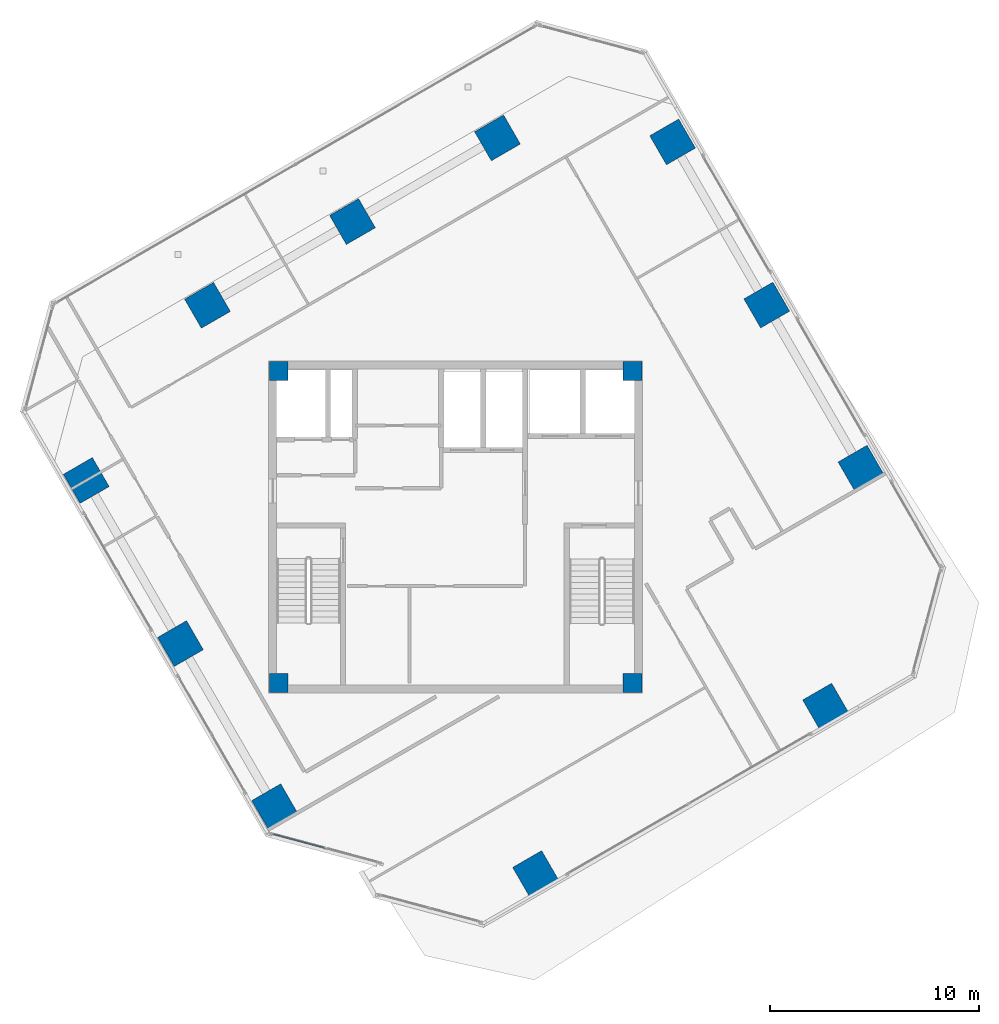
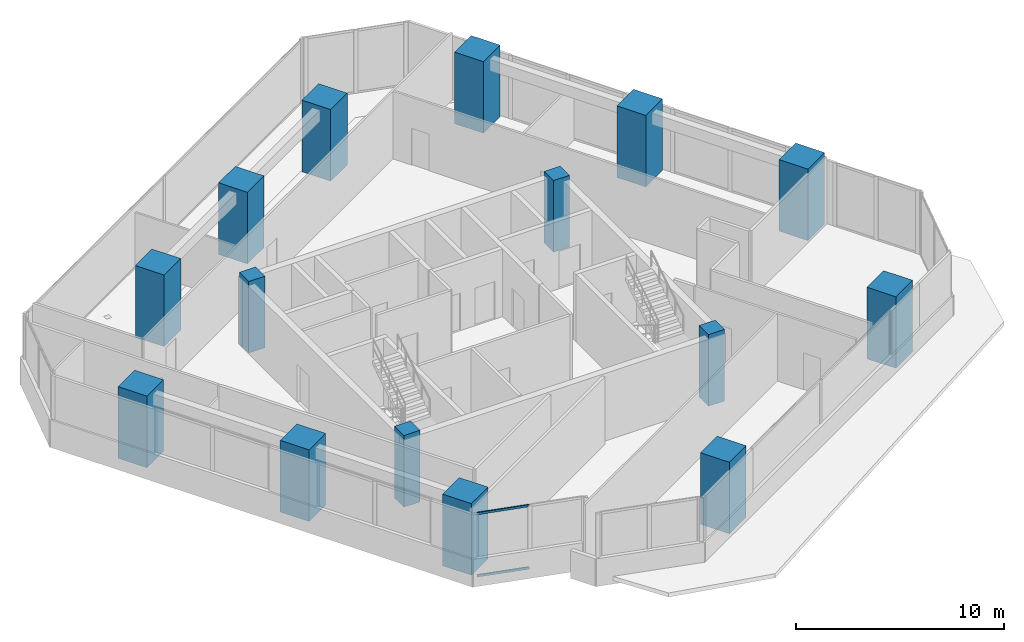
# One storey, part 1 of 16: 15 columns, 2 members, 1 element without a shape of its own.
"""IFC4 building model written with IfcOpenShell, lengths in metres."""

from ifc_helpers import new_model, si_unit, direction, frame, origin, origin_2d, place, context, subcontext, project, spatial, rectangle, hollow_rectangle, extrude, source, transform, mapped, material, material_profile, profile_set, type_object, element, aggregate, save


model = new_model("IFC4")

# Units and contexts
model_context = context("Model", 3, precision=1e-05, world=origin(), true_north=direction((0.0, 1.0)))
body_context = subcontext(model_context, "Body", "Model", "MODEL_VIEW")
ifc_project = project(units=[si_unit("LENGTHUNIT", "METRE"), si_unit("AREAUNIT", "SQUARE_METRE"), si_unit("VOLUMEUNIT", "CUBIC_METRE"), si_unit("PLANEANGLEUNIT", "RADIAN"), si_unit("MASSUNIT", "GRAM", prefix="KILO")], contexts=[model_context])

# Site, building, storey
site_placement = place(None, origin())
site = spatial("IfcSite", under=ifc_project, at=site_placement, CompositionType="ELEMENT")
building_placement = place(site_placement, origin())
building = spatial("IfcBuilding", under=site, at=building_placement, Name="Torre Montelarca", CompositionType="ELEMENT")
storey_placement = place(building_placement, frame((0.0, 0.0, 319.800048828125)))
storey = spatial("IfcBuildingStorey", under=building, at=storey_placement, Name="L72", CompositionType="ELEMENT", Elevation=319.800048828125)

# Columns
ifc_material_1 = material(Name="Concrete C55/67", Category="concrete")
ifc_material_profile_1 = material_profile(ifc_material_1, rectangle(XDim=0.89990234375, YDim=0.89990234375, at=origin_2d()), Name="RC900X900", Category="concrete")
ifc_profile_set_1 = profile_set([ifc_material_profile_1], Name="Concrete C55/67")
column_type_1 = type_object("IfcColumnType", Name="COL-RC900", PredefinedType="COLUMN", material=ifc_profile_set_1)
shared_shape_1 = source(origin(), body_context, "Body", "SweptSolid", [
    extrude(rectangle(XDim=0.89990234375, YDim=0.89990234375, at=origin_2d()), origin(), (0.0, 0.0, 1.0), 4.198486328125),
])
for number, where, z_axis, x_axis, name in (
    (1, (9.550048828125, 24.550048828125, 0.000732421875), (0.0, 0.0, 1.0), (1.0, 0.0, 0.0), "L72 Plumb Core Corner Column 2D"),
    (2, (26.449951171875, 24.550048828125, 0.000732421875), (0.0, 0.0, 1.0), (1.0, 0.0, 0.0), "L72 Plumb Core Corner Column 4D"),
    (3, (9.550048828125, 39.449951171875, 0.000732421875), (0.0, 0.0, 1.0), (1.0, 0.0, 0.0), "L72 Plumb Core Corner Column 2F"),
    (4, (26.449951171875, 39.449951171875, 0.000732421875), (0.0, 0.0, 1.0), (1.0, 0.0, 0.0), "L72 Plumb Core Corner Column 4F"),
):
    element("IfcColumn", number, at=place(storey_placement, frame(where, z_axis=z_axis, x_axis=x_axis)), inside=storey, type_object=column_type_1, Name=name, PredefinedType="COLUMN", context=body_context, shape_type="MappedRepresentation", body=[
        mapped(shared_shape_1, transform((0.0, 0.0, 0.0), scale=1.0)),
    ])
ifc_material_2 = material(Name="Concrete C70/85", Category="concrete")
ifc_material_profile_2 = material_profile(ifc_material_2, rectangle(XDim=1.60009765625, YDim=1.60009765625, at=origin_2d()), Name="RC1600X1600", Category="concrete")
ifc_profile_set_2 = profile_set([ifc_material_profile_2], Name="Concrete C70/85")
column_type_2 = type_object("IfcColumnType", Name="COL-RC1600-EXT", PredefinedType="COLUMN", material=ifc_profile_set_2)
shared_shape_2 = source(origin(), body_context, "Body", "SweptSolid", [
    extrude(rectangle(XDim=1.60009765625, YDim=1.60009765625, at=origin_2d()), origin(), (0.0, 0.0, 1.0), 4.198486328125),
])
for number, where, z_axis, x_axis, name in (
    (5, (0.3544921875, 34.225341796875, 0.000732421875), (0.0, 0.0, 1.0), (-0.5, 0.866025403784, 0.0), "L72 Perimeter Mega Column 2/CS"),
    (6, (28.370361328125, 50.400390625, 0.000732421875), (0.0, 0.0, 1.0), (-0.5, 0.866025403784, 0.0), "L72 Perimeter Mega Column 2/GN"),
    (7, (4.8544921875, 26.43115234375, 0.000732421875), (0.0, 0.0, 1.0), (-0.5, 0.866025403784, 0.0), "L72 Perimeter Mega Column 3/CS"),
    (8, (32.870361328125, 42.606201171875, 0.000732421875), (0.0, 0.0, 1.0), (-0.5, 0.866025403784, 0.0), "L72 Perimeter Mega Column 3/GN"),
    (9, (9.3544921875, 18.636962890625, 0.000732421875), (0.0, 0.0, 1.0), (-0.5, 0.866025403784, 0.0), "L72 Perimeter Mega Column 4/CS"),
    (10, (37.370361328125, 34.81201171875, 0.000732421875), (0.0, 0.0, 1.0), (-0.5, 0.866025403784, 0.0), "L72 Perimeter Mega Column 4/GN"),
    (11, (21.82177734375, 15.442626953125, 0.000732421875), (0.0, 0.0, 1.0), (-0.5, 0.866025403784, 0.0), "L72 Perimeter Mega Column 5/D"),
    (12, (35.67822265625, 23.442626953125, 0.000732421875), (0.0, 0.0, 1.0), (-0.5, 0.866025403784, 0.0), "L72 Perimeter Mega Column 5/F"),
    (13, (6.146728515625, 42.592529296875, 0.000732421875), (0.0, 0.0, 1.0), (-0.5, 0.866025403784, 0.0), "L72 Perimeter Mega Column 1W/D"),
    (14, (13.074951171875, 46.592529296875, 0.000732421875), (0.0, 0.0, 1.0), (-0.5, 0.866025403784, 0.0), "L72 Perimeter Mega Column 1W/E"),
    (15, (20.003173828125, 50.592529296875, 0.000732421875), (0.0, 0.0, 1.0), (-0.5, 0.866025403784, 0.0), "L72 Perimeter Mega Column 1W/F"),
):
    element("IfcColumn", number, at=place(storey_placement, frame(where, z_axis=z_axis, x_axis=x_axis)), inside=storey, type_object=column_type_2, Name=name, PredefinedType="COLUMN", context=body_context, shape_type="MappedRepresentation", body=[
        mapped(shared_shape_2, transform((0.0, 0.0, 0.0), scale=1.0)),
    ])

# Curtain wall, members
ifc_material_3 = material(Name="Insulated low-E laminated glass", Category="glass")
curtain_wall_type = type_object("IfcCurtainWallType", Name="CW-SYS-Z4", PredefinedType="USERDEFINED", material=ifc_material_3)
curtain_wall_placement = place(storey_placement, origin())
curtain_wall = element("IfcCurtainWall", 16, at=curtain_wall_placement, inside=storey, type_object=curtain_wall_type, Name="L72 Curtain Wall Run CW-T3-L72-E02-B1", ObjectType="UNITISED GLAZING", PredefinedType="USERDEFINED")
ifc_material_4 = material(Name="Anodised aluminium AA 6063-T6", Category="aluminium")
ifc_material_profile_3 = material_profile(ifc_material_4, hollow_rectangle(XDim=0.06494140625, YDim=0.139892578125, WallThickness=0.00390625, InnerFilletRadius=0.00390625, OuterFilletRadius=0.008056640625, at=origin_2d()), Name="ALU65X140X4", Category="aluminium")
ifc_profile_set_3 = profile_set([ifc_material_profile_3], Name="Anodised aluminium AA 6063-T6")
member_type = type_object("IfcMemberType", Name="CWT-ALU140", PredefinedType="USERDEFINED", material=ifc_profile_set_3)
shared_shape_3 = source(origin(), body_context, "Body", "SweptSolid", [
    extrude(hollow_rectangle(XDim=0.06494140625, YDim=0.139892578125, WallThickness=0.00390625, InnerFilletRadius=0.00390625, OuterFilletRadius=0.008056640625, at=origin_2d()), origin(), (0.0, 0.0, 1.0), 2.592529296875),
])
member_1_placement = place(storey_placement, frame((9.254638671875, 17.333984375, 0.032470703125), z_axis=(0.965934180518, -0.258787864684, 0.0), x_axis=(0.258787864684, 0.965934180518, 0.0)))
member_1 = element("IfcMember", 17, at=member_1_placement, type_object=member_type, Name="CW transom 1.1", ObjectType="TRANSOM", PredefinedType="USERDEFINED", context=body_context, shape_type="MappedRepresentation", body=[
    mapped(shared_shape_3, transform((0.0, 0.0, 0.0), scale=1.0)),
])
member_2_placement = place(storey_placement, frame((9.254638671875, 17.333984375, 3.6875), z_axis=(0.965934180518, -0.258787864684, 0.0), x_axis=(0.258787864684, 0.965934180518, 0.0)))
member_2 = element("IfcMember", 18, at=member_2_placement, type_object=member_type, Name="CW transom 1.2", ObjectType="TRANSOM", PredefinedType="USERDEFINED", context=body_context, shape_type="MappedRepresentation", body=[
    mapped(shared_shape_3, transform((0.0, 0.0, 0.0), scale=1.0)),
])
aggregate(curtain_wall, [member_1, member_2])

save(model, "model.ifc")
